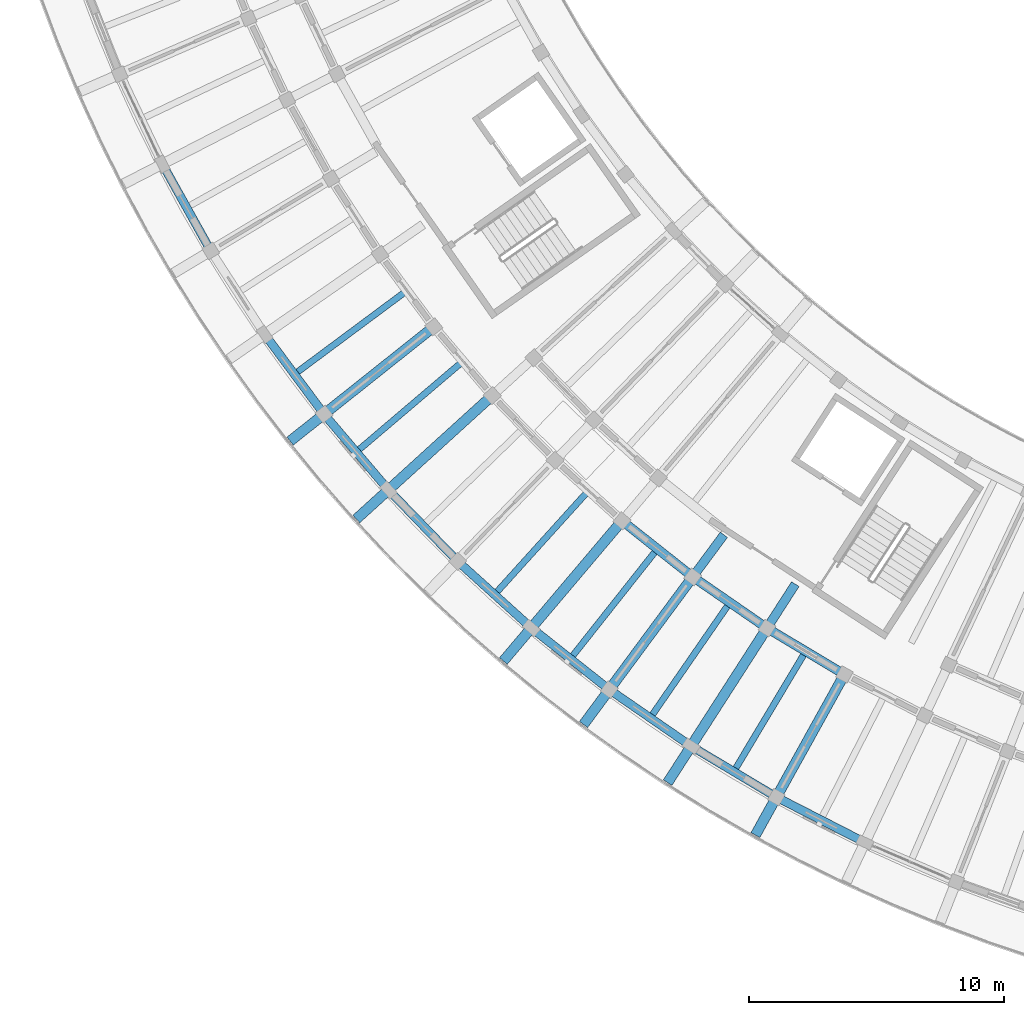
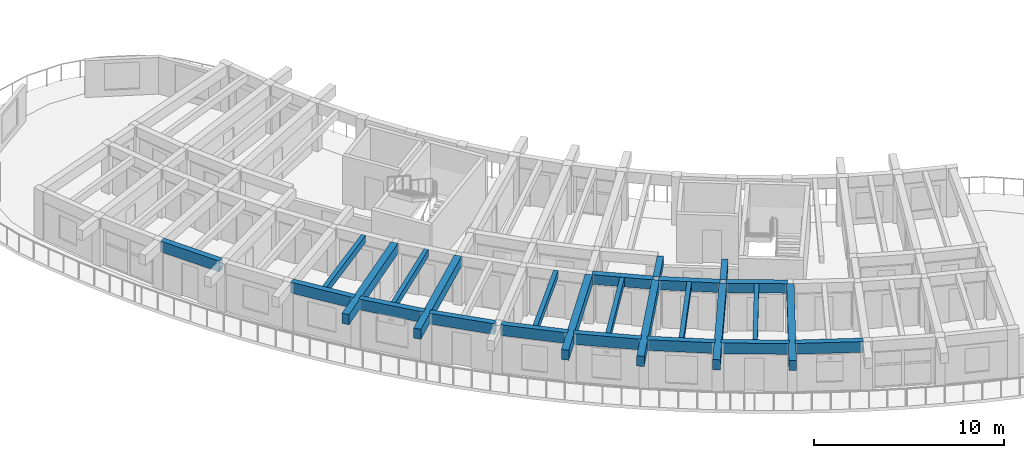
# One storey, part 3 of 83: 26 beams.
"""IFC4 building model written with IfcOpenShell, lengths in metres."""

from ifc_helpers import new_model, si_unit, direction, frame, origin, origin_2d, place, context, subcontext, project, spatial, rectangle, extrude, material, material_profile, profile_set, type_object, element, save


model = new_model("IFC4")

# Units and contexts
model_context = context("Model", 3, precision=1e-05, world=origin(), true_north=direction((0.0, 1.0)))
body_context = subcontext(model_context, "Body", "Model", "MODEL_VIEW")
ifc_project = project(units=[si_unit("LENGTHUNIT", "METRE"), si_unit("AREAUNIT", "SQUARE_METRE"), si_unit("VOLUMEUNIT", "CUBIC_METRE"), si_unit("PLANEANGLEUNIT", "RADIAN"), si_unit("MASSUNIT", "GRAM", prefix="KILO")], contexts=[model_context])

# Site, building, storey
site_placement = place(None, origin())
site = spatial("IfcSite", under=ifc_project, at=site_placement, CompositionType="ELEMENT")
building_placement = place(site_placement, origin())
building = spatial("IfcBuilding", under=site, at=building_placement, Name="Tanwirah Colonnade Gardens", CompositionType="ELEMENT")
storey_placement = place(building_placement, frame((0.0, 0.0, 25.639892578125)))
storey = spatial("IfcBuildingStorey", under=building, at=storey_placement, Name="L07", CompositionType="ELEMENT", Elevation=25.639892578125)

# Beams
ifc_material_1 = material(Name="Precast concrete C40/50", Category="concrete")
ifc_material_profile_1 = material_profile(ifc_material_1, rectangle(XDim=0.360107421875, YDim=0.610107421875, at=origin_2d()), Name="PC-BM 360x610")
ifc_profile_set_1 = profile_set([ifc_material_profile_1], Name="Precast concrete C40/50")
beam_type_1 = type_object("IfcBeamType", Name="BM-PC300", PredefinedType="BEAM", material=ifc_profile_set_1)
beam_1_placement = place(storey_placement, frame((30.194580078125, 23.154052734375, 2.80517578125), z_axis=(0.783993819374, -0.620768629349, 0.0), x_axis=(0.620768629349, 0.783993819374, 0.0)))
element("IfcBeam", 1, at=beam_1_placement, inside=storey, type_object=beam_type_1, Name="Block C L07 Circumferential Beam 9-R2", PredefinedType="BEAM", context=body_context, shape_type="SweptSolid", body=[
    extrude(rectangle(XDim=0.360107421875, YDim=0.610107421875, at=origin_2d()), origin(), (0.0, 0.0, 1.0), 3.23681640625),
])
beam_2_placement = place(storey_placement, frame((32.97314453125, 20.96630859375, 2.80517578125), z_axis=(0.822889344221, -0.568201660651, 0.0), x_axis=(0.568201660651, 0.822889344221, 0.0)))
element("IfcBeam", 2, at=beam_2_placement, inside=storey, type_object=beam_type_1, Name="Block C L07 Circumferential Beam 10-R2", PredefinedType="BEAM", context=body_context, shape_type="SweptSolid", body=[
    extrude(rectangle(XDim=0.360107421875, YDim=0.610107421875, at=origin_2d()), origin(), (0.0, 0.0, 1.0), 3.237060546875),
])
beam_3_placement = place(storey_placement, frame((35.88916015625, 18.96484375, 2.80517578125), z_axis=(0.858270604513, -0.513197398111, 0.0), x_axis=(0.513197398111, 0.858270604513, 0.0)))
element("IfcBeam", 3, at=beam_3_placement, inside=storey, type_object=beam_type_1, Name="Block C L07 Circumferential Beam 11-R2", PredefinedType="BEAM", context=body_context, shape_type="SweptSolid", body=[
    extrude(rectangle(XDim=0.360107421875, YDim=0.610107421875, at=origin_2d()), origin(), (0.0, 0.0, 1.0), 3.23681640625),
])
ifc_material_profile_2 = material_profile(ifc_material_1, rectangle(XDim=0.35009765625, YDim=0.550048828125, at=origin_2d()), Name="PC-BM 350x550")
ifc_profile_set_2 = profile_set([ifc_material_profile_2], Name="Precast concrete C40/50")
beam_type_2 = type_object("IfcBeamType", Name="BM-PC350A", PredefinedType="BEAM", material=ifc_profile_set_2)
beam_4_placement = place(storey_placement, frame((34.0693359375, 22.699462890625, 2.835205078125), z_axis=(-0.594889497099, -0.803807493273, 0.0), x_axis=(0.803807493273, -0.594889497099, 0.0)))
element("IfcBeam", 4, at=beam_4_placement, inside=storey, type_object=beam_type_2, Name="Block C L07 Corridor Tie Beam 10", PredefinedType="BEAM", context=body_context, shape_type="SweptSolid", body=[
    extrude(rectangle(XDim=0.35009765625, YDim=0.550048828125, at=origin_2d()), origin(), (0.0, 0.0, 1.0), 1.900146484375),
])
beam_5_placement = place(storey_placement, frame((36.869384765625, 20.765869140625, 2.835205078125), z_axis=(-0.540984881989, -0.841032316537, 0.0), x_axis=(0.841032316537, -0.540984881989, 0.0)))
element("IfcBeam", 5, at=beam_5_placement, inside=storey, type_object=beam_type_2, Name="Block C L07 Corridor Tie Beam 11", PredefinedType="BEAM", context=body_context, shape_type="SweptSolid", body=[
    extrude(rectangle(XDim=0.35009765625, YDim=0.550048828125, at=origin_2d()), origin(), (0.0, 0.0, 1.0), 1.89990234375),
])
ifc_material_2 = material(Name="Precast concrete C45/55", Category="concrete")
ifc_material_profile_3 = material_profile(ifc_material_2, rectangle(XDim=0.39990234375, YDim=0.64990234375, at=origin_2d()), Name="PC-BM 400x650")
ifc_profile_set_3 = profile_set([ifc_material_profile_3], Name="Precast concrete C45/55")
beam_type_3 = type_object("IfcBeamType", Name="BM-PC400", PredefinedType="BEAM", material=ifc_profile_set_3)
for number, where, z_axis, x_axis, name in (
    (6, (22.58251953125, 30.759765625, 2.78515625), (-0.782609106384, -0.622513442911, 0.0), (0.622513442911, -0.782609106384, 0.0), "Block C L07 Outer Radial Precast Girder 6"),
    (7, (24.880126953125, 28.0576171875, 2.78515625), (-0.740229899169, -0.672353847596, 0.0), (0.672353847596, -0.740229899169, 0.0), "Block C L07 Outer Radial Precast Girder 7"),
):
    element("IfcBeam", number, at=place(storey_placement, frame(where, z_axis=z_axis, x_axis=x_axis)), inside=storey, type_object=beam_type_3, Name=name, PredefinedType="BEAM", context=body_context, shape_type="SweptSolid", body=[
        extrude(rectangle(XDim=0.39990234375, YDim=0.64990234375, at=origin_2d()), origin(), (0.0, 0.0, 1.0), 7.0498046875),
    ])
for number, where, z_axis, x_axis, name in (
    (8, (29.97998046875, 23.1328125, 2.78515625), (-0.646119193339, -0.763236521663, 0.0), (0.763236521663, -0.646119193339, 0.0), "Block C L07 Outer Radial Precast Girder 9"),
    (9, (32.760498046875, 20.930908203125, 2.78515625), (-0.594806754627, -0.803868723518, 0.0), (0.803868723518, -0.594806754627, 0.0), "Block C L07 Outer Radial Precast Girder 10"),
    (10, (35.67919921875, 18.915771484375, 2.78515625), (-0.540976349149, -0.841037805132, 0.0), (0.841037805132, -0.540976349149, 0.0), "Block C L07 Outer Radial Precast Girder 11"),
):
    element("IfcBeam", number, at=place(storey_placement, frame(where, z_axis=z_axis, x_axis=x_axis)), inside=storey, type_object=beam_type_3, Name=name, PredefinedType="BEAM", context=body_context, shape_type="SweptSolid", body=[
        extrude(rectangle(XDim=0.39990234375, YDim=0.64990234375, at=origin_2d()), origin(), (0.0, 0.0, 1.0), 7.050048828125),
    ])
beam_6_placement = place(storey_placement, frame((38.723388671875, 17.095703125, 2.78515625), z_axis=(-0.484804753745, -0.874622404667, 0.0), x_axis=(0.874622404667, -0.484804753745, 0.0)))
element("IfcBeam", 11, at=beam_6_placement, inside=storey, type_object=beam_type_3, Name="Block C L07 Outer Radial Precast Girder 12", PredefinedType="BEAM", context=body_context, shape_type="SweptSolid", body=[
    extrude(rectangle(XDim=0.39990234375, YDim=0.64990234375, at=origin_2d()), origin(), (0.0, 0.0, 1.0), 7.05029296875),
])
ifc_material_profile_4 = material_profile(ifc_material_1, rectangle(XDim=0.25, YDim=0.449951171875, at=origin_2d()), Name="PC-JST 250x450")
ifc_profile_set_4 = profile_set([ifc_material_profile_4], Name="Precast concrete C40/50")
beam_type_4 = type_object("IfcBeamType", Name="JST-PC250", PredefinedType="JOIST", material=ifc_profile_set_4)
for number, where, z_axis, x_axis, name in (
    (12, (21.525390625, 32.18359375, 2.885009765625), (-0.802560347737, -0.596570941499, 0.0), (0.596570941499, -0.802560347737, 0.0), "Block C L07 Precast Floor Joist 5"),
    (13, (23.732177734375, 29.409423828125, 2.885009765625), (-0.761803021124, -0.647808734895, 0.0), (0.647808734895, -0.761803021124, 0.0), "Block C L07 Precast Floor Joist 6"),
    (14, (28.66552734375, 24.322998046875, 2.885009765625), (-0.670780841255, -0.741655622918, 0.0), (0.741655622918, -0.670780841255, 0.0), "Block C L07 Precast Floor Joist 8"),
    (15, (31.370849609375, 22.03271484375, 2.885009765625), (-0.620787347885, -0.783978997617, 0.0), (0.783978997617, -0.620787347885, 0.0), "Block C L07 Precast Floor Joist 9"),
    (16, (34.220458984375, 19.924072265625, 2.885009765625), (-0.56820792868, -0.822885016138, 0.0), (0.822885016138, -0.56820792868, 0.0), "Block C L07 Precast Floor Joist 10"),
    (17, (37.20166015625, 18.006591796875, 2.885009765625), (-0.513157303227, -0.858294577721, 0.0), (0.858294577721, -0.513157303227, 0.0), "Block C L07 Precast Floor Joist 11"),
):
    element("IfcBeam", number, at=place(storey_placement, frame(where, z_axis=z_axis, x_axis=x_axis)), inside=storey, type_object=beam_type_4, Name=name, PredefinedType="JOIST", context=body_context, shape_type="SweptSolid", body=[
        extrude(rectangle(XDim=0.25, YDim=0.449951171875, at=origin_2d()), origin(), (0.0, 0.0, 1.0), 5.260009765625),
    ])
ifc_material_profile_5 = material_profile(ifc_material_1, rectangle(XDim=0.330078125, YDim=0.68994140625, at=origin_2d()), Name="PC-SP 330x690")
ifc_profile_set_5 = profile_set([ifc_material_profile_5], Name="Precast concrete C40/50")
beam_type_5 = type_object("IfcBeamType", Name="SP-PC280", PredefinedType="SPANDREL", material=ifc_profile_set_5)
beam_7_placement = place(storey_placement, frame((12.132080078125, 37.1025390625, 2.76513671875), z_axis=(0.486679958674, -0.87358034423, 0.0), x_axis=(0.87358034423, 0.486679958674, 0.0)))
element("IfcBeam", 18, at=beam_7_placement, inside=storey, type_object=beam_type_5, Name="Block C L07 Circumferential Beam 3-R3", PredefinedType="SPANDREL", context=body_context, shape_type="SweptSolid", body=[
    extrude(rectangle(XDim=0.330078125, YDim=0.68994140625, at=origin_2d()), origin(), (0.0, 0.0, 1.0), 3.5966796875),
])
beam_8_placement = place(storey_placement, frame((16.160400390625, 30.436279296875, 2.76513671875), z_axis=(0.596562665898, -0.802566499212, 0.0), x_axis=(0.802566499212, 0.596562665898, 0.0)))
element("IfcBeam", 19, at=beam_8_placement, inside=storey, type_object=beam_type_5, Name="Block C L07 Circumferential Beam 5-R3", PredefinedType="SPANDREL", context=body_context, shape_type="SweptSolid", body=[
    extrude(rectangle(XDim=0.330078125, YDim=0.68994140625, at=origin_2d()), origin(), (0.0, 0.0, 1.0), 3.596923828125),
])
for number, where, z_axis, x_axis, name in (
    (20, (18.492919921875, 27.31494140625, 2.76513671875), (0.647784367984, -0.76182374116, 0.0), (0.76182374116, 0.647784367984, 0.0), "Block C L07 Circumferential Beam 6-R3"),
    (21, (21.0244140625, 24.352783203125, 2.76513671875), (0.696231699401, -0.717817122079, 0.0), (0.717817122079, 0.696231699401, 0.0), "Block C L07 Circumferential Beam 7-R3"),
):
    element("IfcBeam", number, at=place(storey_placement, frame(where, z_axis=z_axis, x_axis=x_axis)), inside=storey, type_object=beam_type_5, Name=name, PredefinedType="SPANDREL", context=body_context, shape_type="SweptSolid", body=[
        extrude(rectangle(XDim=0.330078125, YDim=0.68994140625, at=origin_2d()), origin(), (0.0, 0.0, 1.0), 3.5966796875),
    ])
for number, where, z_axis, x_axis, name in (
    (22, (23.744384765625, 21.562744140625, 2.76513671875), (0.741682092868, -0.670751573325, 0.0), (0.670751573325, 0.741682092868, 0.0), "Block C L07 Circumferential Beam 8-R3"),
    (23, (26.640869140625, 18.956298828125, 2.76513671875), (0.783971495357, -0.620796822211, 0.0), (0.620796822211, 0.783971495357, 0.0), "Block C L07 Circumferential Beam 9-R3"),
    (24, (29.70166015625, 16.545166015625, 2.76513671875), (0.822907478943, -0.568175396423, 0.0), (0.568175396423, 0.822907478943, 0.0), "Block C L07 Circumferential Beam 10-R3"),
):
    element("IfcBeam", number, at=place(storey_placement, frame(where, z_axis=z_axis, x_axis=x_axis)), inside=storey, type_object=beam_type_5, Name=name, PredefinedType="SPANDREL", context=body_context, shape_type="SweptSolid", body=[
        extrude(rectangle(XDim=0.330078125, YDim=0.68994140625, at=origin_2d()), origin(), (0.0, 0.0, 1.0), 3.596923828125),
    ])
for number, where, z_axis, x_axis, name in (
    (25, (32.913818359375, 14.339111328125, 2.76513671875), (0.858282522832, -0.513177465407, 0.0), (0.513177465407, 0.858282522832, 0.0), "Block C L07 Circumferential Beam 11-R3"),
    (26, (36.26318359375, 12.347900390625, 2.76513671875), (0.890013134589, -0.455934885985, 0.0), (0.455934885985, 0.890013134589, 0.0), "Block C L07 Circumferential Beam 12-R3"),
):
    element("IfcBeam", number, at=place(storey_placement, frame(where, z_axis=z_axis, x_axis=x_axis)), inside=storey, type_object=beam_type_5, Name=name, PredefinedType="SPANDREL", context=body_context, shape_type="SweptSolid", body=[
        extrude(rectangle(XDim=0.330078125, YDim=0.68994140625, at=origin_2d()), origin(), (0.0, 0.0, 1.0), 3.5966796875),
    ])

save(model, "model.ifc")
